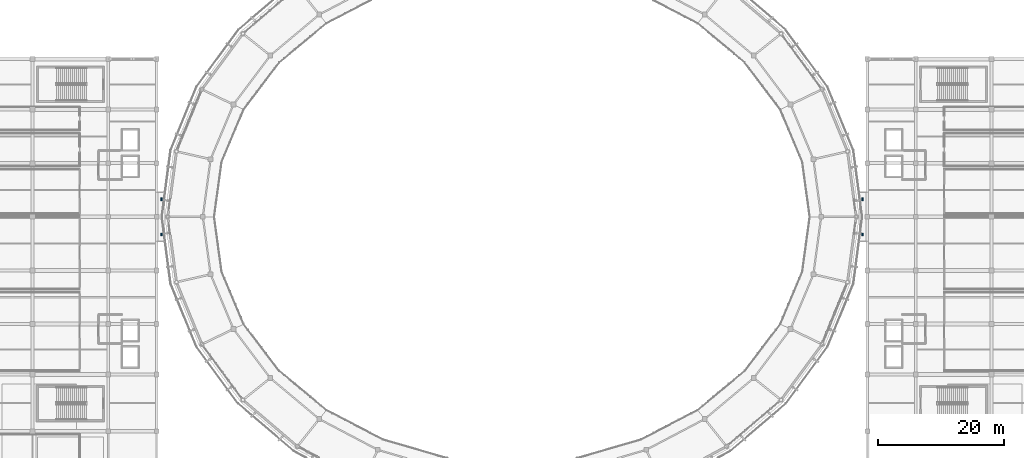
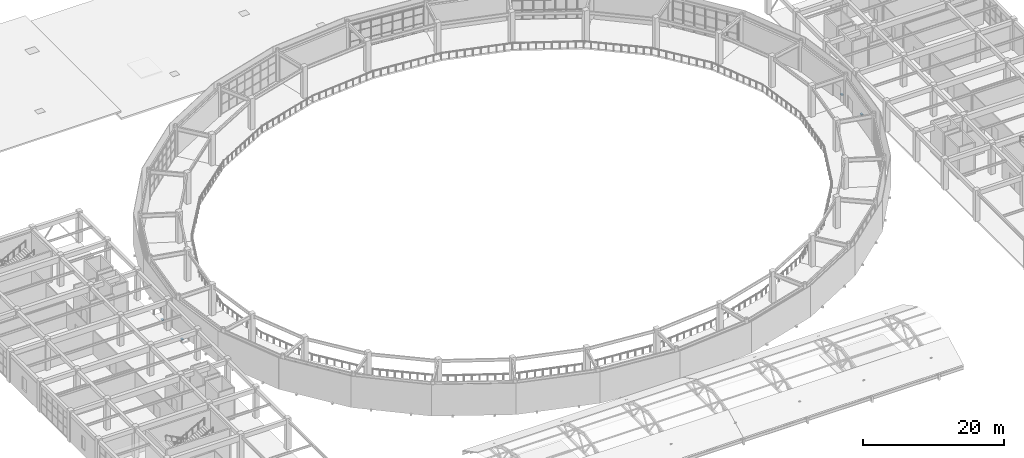
# One storey, part 61 of 70: 4 discrete accessories.
"""IFC4 building model written with IfcOpenShell, lengths in metres."""

from ifc_helpers import new_model, si_unit, direction, frame, origin, origin_2d, place, context, subcontext, project, spatial, rectangle, extrude, material, type_object, element, save


model = new_model("IFC4")

# Units and contexts
model_context = context("Model", 3, precision=1e-05, world=origin(), true_north=direction((0.0, 1.0)))
body_context = subcontext(model_context, "Body", "Model", "MODEL_VIEW")
ifc_project = project(units=[si_unit("LENGTHUNIT", "METRE"), si_unit("AREAUNIT", "SQUARE_METRE"), si_unit("VOLUMEUNIT", "CUBIC_METRE"), si_unit("PLANEANGLEUNIT", "RADIAN"), si_unit("MASSUNIT", "GRAM", prefix="KILO")], contexts=[model_context])

# Site, building, storey
site_placement = place(None, origin())
site = spatial("IfcSite", under=ifc_project, at=site_placement, CompositionType="ELEMENT")
building_placement = place(site_placement, origin())
building = spatial("IfcBuilding", under=site, at=building_placement, Name="Cuetzalor Civic Arena", CompositionType="ELEMENT")
storey_placement = place(building_placement, frame((0.0, 0.0, 21.0)))
storey = spatial("IfcBuildingStorey", under=building, at=storey_placement, Name="L04", CompositionType="ELEMENT", Elevation=21.0)

# Discrete accessories
ifc_material = material(Name="Guided PTFE elastomeric Steel S355 bearing", Category="steel")
discrete_accessory_type = type_object("IfcDiscreteAccessoryType", Name="GuidedSeismicBearing_PTFE", PredefinedType="SHOE", material=ifc_material)
for number, where, z_axis, x_axis, name in (
    (1, (-55.550048828125, -2.800048828125, -0.43994140625), (0.0, 0.0, 1.0), (1.0, 0.0, 0.0), "Guided PTFE Sliding Bridge Bearing V4W-L04-1"),
    (2, (-55.550048828125, 2.800048828125, -0.43994140625), (0.0, 0.0, 1.0), (1.0, 0.0, 0.0), "Guided PTFE Sliding Bridge Bearing V4W-L04-2"),
    (3, (55.550048828125, -2.800048828125, -0.43994140625), (0.0, 0.0, 1.0), (1.0, 0.0, 0.0), "Guided PTFE Sliding Bridge Bearing V4E-L04-1"),
    (4, (55.550048828125, 2.800048828125, -0.43994140625), (0.0, 0.0, 1.0), (1.0, 0.0, 0.0), "Guided PTFE Sliding Bridge Bearing V4E-L04-2"),
):
    element("IfcDiscreteAccessory", number, at=place(storey_placement, frame(where, z_axis=z_axis, x_axis=x_axis)), inside=storey, type_object=discrete_accessory_type, Name=name, PredefinedType="SHOE", context=body_context, shape_type="SweptSolid", body=[
        extrude(rectangle(XDim=0.300048828125, YDim=0.449951171875, at=origin_2d()), origin(), (0.0, 0.0, 1.0), 0.179931640625),
    ])

save(model, "model.ifc")
